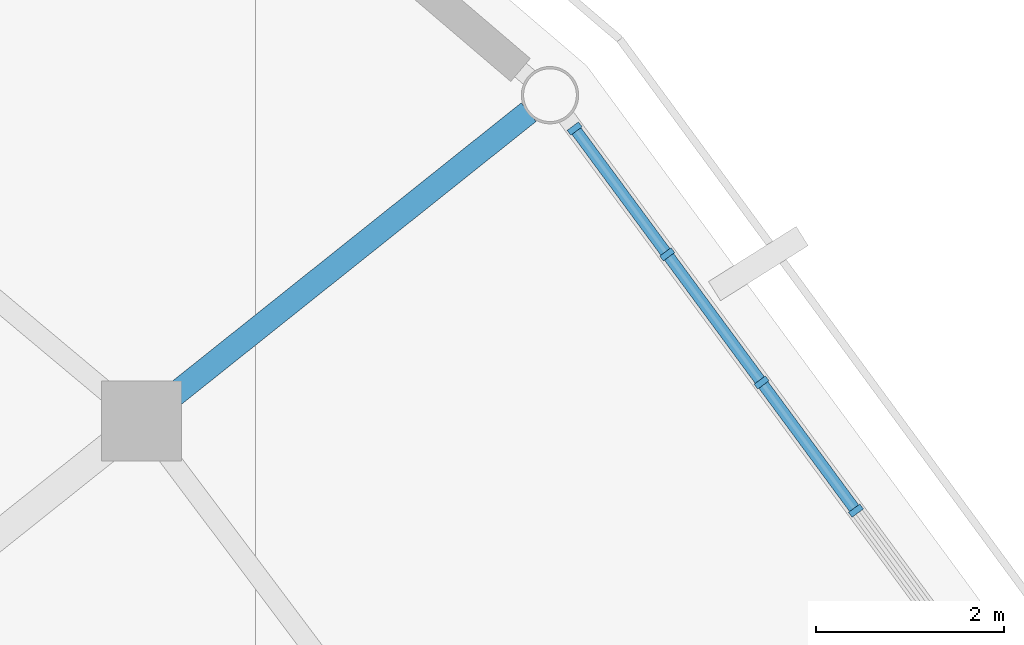
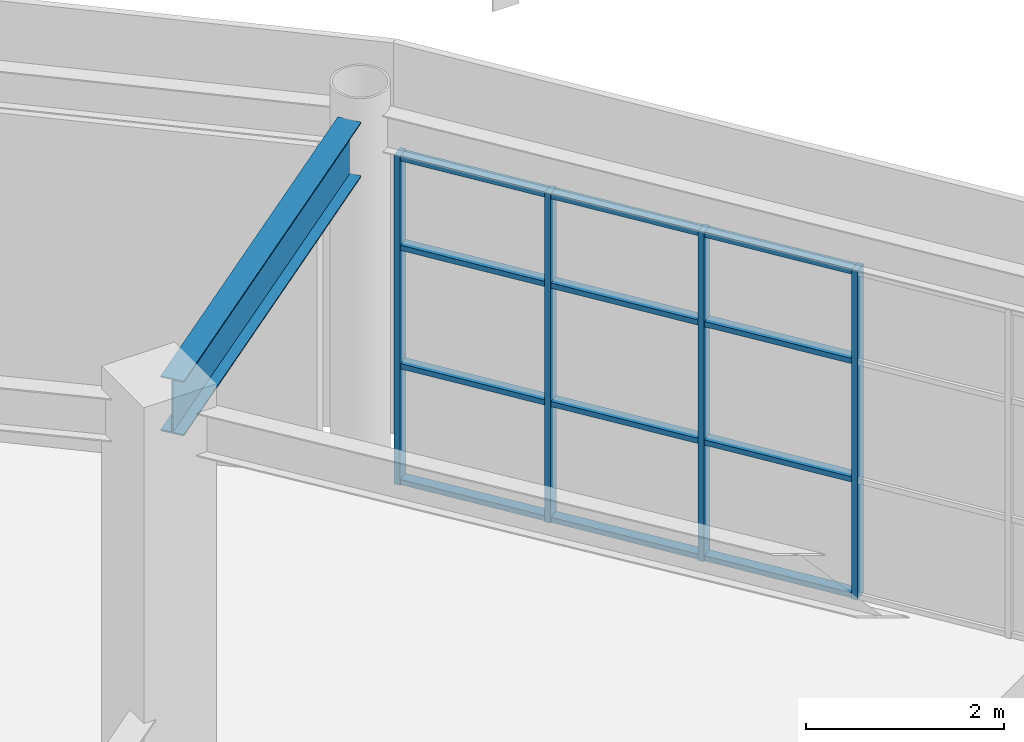
# One storey, part 56 of 122: 16 members, 1 beam, 1 element without a shape of its own.
"""IFC4 building model written with IfcOpenShell, lengths in metres."""

from ifc_helpers import new_model, si_unit, direction, frame, origin, origin_2d, place, context, subcontext, project, spatial, rectangle, i_section, extrude, material, material_profile, profile_set, type_object, element, aggregate, save


model = new_model("IFC4")

# Units and contexts
model_context = context("Model", 3, precision=1e-05, world=origin(), true_north=direction((0.0, 1.0)))
body_context = subcontext(model_context, "Body", "Model", "MODEL_VIEW")
ifc_project = project(units=[si_unit("LENGTHUNIT", "METRE"), si_unit("AREAUNIT", "SQUARE_METRE"), si_unit("VOLUMEUNIT", "CUBIC_METRE"), si_unit("PLANEANGLEUNIT", "RADIAN"), si_unit("MASSUNIT", "GRAM", prefix="KILO")], contexts=[model_context])

# Site, building, storey
site_placement = place(None, origin())
site = spatial("IfcSite", under=ifc_project, at=site_placement, CompositionType="ELEMENT")
building_placement = place(site_placement, origin())
building = spatial("IfcBuilding", under=site, at=building_placement, Name="Cuetzalor Civic Arena", CompositionType="ELEMENT")
storey_placement = place(building_placement, frame((0.0, 0.0, 16.199951171875)))
storey = spatial("IfcBuildingStorey", under=building, at=storey_placement, Name="L03", CompositionType="ELEMENT", Elevation=16.199951171875)

# Curtain wall, members
ifc_material_1 = material(Name="Anodised dark bronze aluminium and low-E solar glass", Category="aluminium")
curtain_wall_type = type_object("IfcCurtainWallType", Name="UnitisedCW_10150x4050", PredefinedType="USERDEFINED", material=ifc_material_1)
curtain_wall_placement = place(storey_placement, origin())
curtain_wall = element("IfcCurtainWall", 1, at=curtain_wall_placement, inside=storey, type_object=curtain_wall_type, Name="Drum Triangle Foyer Curtain Wall L03-045", ObjectType="UNITISED CURTAIN WALL", PredefinedType="USERDEFINED")
ifc_material_2 = material(Name="Anodised dark bronze aluminium", Category="aluminium")
ifc_material_profile_1 = material_profile(ifc_material_2, rectangle(XDim=0.06494140625, YDim=0.14990234375, at=origin_2d()), Name="ALU MULLION 65x150")
ifc_profile_set_1 = profile_set([ifc_material_profile_1], Name="Anodised dark bronze aluminium")
member_type_1 = type_object("IfcMemberType", Name="CurtainWallMullion_60x150", PredefinedType="MULLION", material=ifc_profile_set_1)
member_1_placement = place(storey_placement, frame((42.910400390625, 28.66845703125, 0.0), z_axis=(0.0, 0.0, 1.0), x_axis=(0.59292931222, -0.805254513002, 0.0)))
member_1 = element("IfcMember", 2, at=member_1_placement, type_object=member_type_1, Name="CW-12 mullion 1", PredefinedType="MULLION", context=body_context, shape_type="SweptSolid", body=[
    extrude(rectangle(XDim=0.06494140625, YDim=0.14990234375, at=origin_2d()), origin(), (0.0, 0.0, 1.0), 4.052978515625),
])
member_2_placement = place(storey_placement, frame((43.8935546875, 27.333251953125, 0.0), z_axis=(0.0, 0.0, 1.0), x_axis=(0.59292931222, -0.805254513002, 0.0)))
member_2 = element("IfcMember", 3, at=member_2_placement, type_object=member_type_1, Name="CW-12 mullion 2", PredefinedType="MULLION", context=body_context, shape_type="SweptSolid", body=[
    extrude(rectangle(XDim=0.06494140625, YDim=0.14990234375, at=origin_2d()), origin(), (0.0, 0.0, 1.0), 4.052978515625),
])
member_3_placement = place(storey_placement, frame((44.89599609375, 25.9716796875, 0.0), z_axis=(0.0, 0.0, 1.0), x_axis=(0.59292931222, -0.805254513002, 0.0)))
member_3 = element("IfcMember", 4, at=member_3_placement, type_object=member_type_1, Name="CW-12 mullion 3", PredefinedType="MULLION", context=body_context, shape_type="SweptSolid", body=[
    extrude(rectangle(XDim=0.06494140625, YDim=0.14990234375, at=origin_2d()), origin(), (0.0, 0.0, 1.0), 4.052978515625),
])
member_4_placement = place(storey_placement, frame((45.8984375, 24.6103515625, 0.0), z_axis=(0.0, 0.0, 1.0), x_axis=(0.59292931222, -0.805254513002, 0.0)))
member_4 = element("IfcMember", 5, at=member_4_placement, type_object=member_type_1, Name="CW-12 mullion 4", PredefinedType="MULLION", context=body_context, shape_type="SweptSolid", body=[
    extrude(rectangle(XDim=0.06494140625, YDim=0.14990234375, at=origin_2d()), origin(), (0.0, 0.0, 1.0), 4.052978515625),
])
ifc_material_3 = material(Name="Anodised dark bronze aluminium", Category="aluminium")
ifc_material_profile_2 = material_profile(ifc_material_3, rectangle(XDim=0.1201171875, YDim=0.06494140625, at=origin_2d()), Name="ALU TRANSOM 65x120")
ifc_profile_set_2 = profile_set([ifc_material_profile_2], Name="Anodised dark bronze aluminium")
member_type_2 = type_object("IfcMemberType", Name="CurtainWallTransom_60x120", PredefinedType="USERDEFINED", material=ifc_profile_set_2)
member_5_placement = place(storey_placement, frame((42.9296875, 28.642333984375, 0.032470703125), z_axis=(0.59289058609, -0.805283026597, 0.0), x_axis=(0.805283026597, 0.59289058609, 0.0)))
member_5 = element("IfcMember", 6, at=member_5_placement, type_object=member_type_2, Name="CW-12 transom 1.1", ObjectType="TRANSOM", PredefinedType="USERDEFINED", context=body_context, shape_type="SweptSolid", body=[
    extrude(rectangle(XDim=0.1201171875, YDim=0.06494140625, at=origin_2d()), origin(), (0.0, 0.0, 1.0), 1.59326171875),
])
member_6_placement = place(storey_placement, frame((42.9296875, 28.642333984375, 1.458984375), z_axis=(0.59289058609, -0.805283026597, 0.0), x_axis=(0.805283026597, 0.59289058609, 0.0)))
member_6 = element("IfcMember", 7, at=member_6_placement, type_object=member_type_2, Name="CW-12 transom 1.2", ObjectType="TRANSOM", PredefinedType="USERDEFINED", context=body_context, shape_type="SweptSolid", body=[
    extrude(rectangle(XDim=0.1201171875, YDim=0.06494140625, at=origin_2d()), origin(), (0.0, 0.0, 1.0), 1.59326171875),
])
member_7_placement = place(storey_placement, frame((42.9296875, 28.642333984375, 2.91796875), z_axis=(0.59289058609, -0.805283026597, 0.0), x_axis=(0.805283026597, 0.59289058609, 0.0)))
member_7 = element("IfcMember", 8, at=member_7_placement, type_object=member_type_2, Name="CW-12 transom 1.3", ObjectType="TRANSOM", PredefinedType="USERDEFINED", context=body_context, shape_type="SweptSolid", body=[
    extrude(rectangle(XDim=0.1201171875, YDim=0.06494140625, at=origin_2d()), origin(), (0.0, 0.0, 1.0), 1.59326171875),
])
member_8_placement = place(storey_placement, frame((42.9296875, 28.642333984375, 4.0205078125), z_axis=(0.59289058609, -0.805283026597, 0.0), x_axis=(0.805283026597, 0.59289058609, 0.0)))
member_8 = element("IfcMember", 9, at=member_8_placement, type_object=member_type_2, Name="CW-12 transom 1.4", ObjectType="TRANSOM", PredefinedType="USERDEFINED", context=body_context, shape_type="SweptSolid", body=[
    extrude(rectangle(XDim=0.1201171875, YDim=0.06494140625, at=origin_2d()), origin(), (0.0, 0.0, 1.0), 1.59326171875),
])
member_9_placement = place(storey_placement, frame((43.912841796875, 27.30712890625, 0.032470703125), z_axis=(0.592912120819, -0.805267171183, 0.0), x_axis=(0.805267171183, 0.592912120819, 0.0)))
member_9 = element("IfcMember", 10, at=member_9_placement, type_object=member_type_2, Name="CW-12 transom 2.1", ObjectType="TRANSOM", PredefinedType="USERDEFINED", context=body_context, shape_type="SweptSolid", body=[
    extrude(rectangle(XDim=0.1201171875, YDim=0.06494140625, at=origin_2d()), origin(), (0.0, 0.0, 1.0), 1.625732421875),
])
member_10_placement = place(storey_placement, frame((43.912841796875, 27.30712890625, 1.458984375), z_axis=(0.592912120819, -0.805267171183, 0.0), x_axis=(0.805267171183, 0.592912120819, 0.0)))
member_10 = element("IfcMember", 11, at=member_10_placement, type_object=member_type_2, Name="CW-12 transom 2.2", ObjectType="TRANSOM", PredefinedType="USERDEFINED", context=body_context, shape_type="SweptSolid", body=[
    extrude(rectangle(XDim=0.1201171875, YDim=0.06494140625, at=origin_2d()), origin(), (0.0, 0.0, 1.0), 1.625732421875),
])
member_11_placement = place(storey_placement, frame((43.912841796875, 27.30712890625, 2.91796875), z_axis=(0.592912120819, -0.805267171183, 0.0), x_axis=(0.805267171183, 0.592912120819, 0.0)))
member_11 = element("IfcMember", 12, at=member_11_placement, type_object=member_type_2, Name="CW-12 transom 2.3", ObjectType="TRANSOM", PredefinedType="USERDEFINED", context=body_context, shape_type="SweptSolid", body=[
    extrude(rectangle(XDim=0.1201171875, YDim=0.06494140625, at=origin_2d()), origin(), (0.0, 0.0, 1.0), 1.625732421875),
])
member_12_placement = place(storey_placement, frame((43.912841796875, 27.30712890625, 4.0205078125), z_axis=(0.592912120819, -0.805267171183, 0.0), x_axis=(0.805267171183, 0.592912120819, 0.0)))
member_12 = element("IfcMember", 13, at=member_12_placement, type_object=member_type_2, Name="CW-12 transom 2.4", ObjectType="TRANSOM", PredefinedType="USERDEFINED", context=body_context, shape_type="SweptSolid", body=[
    extrude(rectangle(XDim=0.1201171875, YDim=0.06494140625, at=origin_2d()), origin(), (0.0, 0.0, 1.0), 1.625732421875),
])
member_13_placement = place(storey_placement, frame((44.915283203125, 25.945556640625, 0.032470703125), z_axis=(0.592912120819, -0.805267171183, 0.0), x_axis=(0.805267171183, 0.592912120819, 0.0)))
member_13 = element("IfcMember", 14, at=member_13_placement, type_object=member_type_2, Name="CW-12 transom 3.1", ObjectType="TRANSOM", PredefinedType="USERDEFINED", context=body_context, shape_type="SweptSolid", body=[
    extrude(rectangle(XDim=0.1201171875, YDim=0.06494140625, at=origin_2d()), origin(), (0.0, 0.0, 1.0), 1.625732421875),
])
member_14_placement = place(storey_placement, frame((44.915283203125, 25.945556640625, 1.458984375), z_axis=(0.592912120819, -0.805267171183, 0.0), x_axis=(0.805267171183, 0.592912120819, 0.0)))
member_14 = element("IfcMember", 15, at=member_14_placement, type_object=member_type_2, Name="CW-12 transom 3.2", ObjectType="TRANSOM", PredefinedType="USERDEFINED", context=body_context, shape_type="SweptSolid", body=[
    extrude(rectangle(XDim=0.1201171875, YDim=0.06494140625, at=origin_2d()), origin(), (0.0, 0.0, 1.0), 1.625732421875),
])
member_15_placement = place(storey_placement, frame((44.915283203125, 25.945556640625, 2.91796875), z_axis=(0.592912120819, -0.805267171183, 0.0), x_axis=(0.805267171183, 0.592912120819, 0.0)))
member_15 = element("IfcMember", 16, at=member_15_placement, type_object=member_type_2, Name="CW-12 transom 3.3", ObjectType="TRANSOM", PredefinedType="USERDEFINED", context=body_context, shape_type="SweptSolid", body=[
    extrude(rectangle(XDim=0.1201171875, YDim=0.06494140625, at=origin_2d()), origin(), (0.0, 0.0, 1.0), 1.625732421875),
])
member_16_placement = place(storey_placement, frame((44.915283203125, 25.945556640625, 4.0205078125), z_axis=(0.592912120819, -0.805267171183, 0.0), x_axis=(0.805267171183, 0.592912120819, 0.0)))
member_16 = element("IfcMember", 17, at=member_16_placement, type_object=member_type_2, Name="CW-12 transom 3.4", ObjectType="TRANSOM", PredefinedType="USERDEFINED", context=body_context, shape_type="SweptSolid", body=[
    extrude(rectangle(XDim=0.1201171875, YDim=0.06494140625, at=origin_2d()), origin(), (0.0, 0.0, 1.0), 1.625732421875),
])
aggregate(curtain_wall, [member_1, member_2, member_3, member_4, member_5, member_6, member_7, member_8, member_9, member_10, member_11, member_12, member_13, member_14, member_15, member_16])

# Beam
ifc_material_4 = material(Name="Steel S355", Category="steel")
ifc_material_profile_3 = material_profile(ifc_material_4, i_section(OverallWidth=0.2529296875, OverallDepth=0.677978515625, WebThickness=0.01171875, FlangeThickness=0.016357421875, at=origin_2d()), Name="W690x125")
ifc_profile_set_3 = profile_set([ifc_material_profile_3], Name="Steel S355")
beam_type = type_object("IfcBeamType", Name="SteelPrimaryGirder_W690", PredefinedType="BEAM", material=ifc_profile_set_3)
beam_placement = place(storey_placement, frame((38.59130859375, 25.78759765625, 4.18115234375), z_axis=(0.781810957258, 0.623515538789, 0.0), x_axis=(-0.623515538789, 0.781810957258, 0.0)))
element("IfcBeam", 18, at=beam_placement, inside=storey, type_object=beam_type, Name="Drum Radial Girder L03-R04", PredefinedType="BEAM", context=body_context, shape_type="SweptSolid", body=[
    extrude(i_section(OverallWidth=0.2529296875, OverallDepth=0.677978515625, WebThickness=0.01171875, FlangeThickness=0.016357421875, at=origin_2d()), origin(), (0.0, 0.0, 1.0), 4.89990234375),
])

save(model, "model.ifc")
